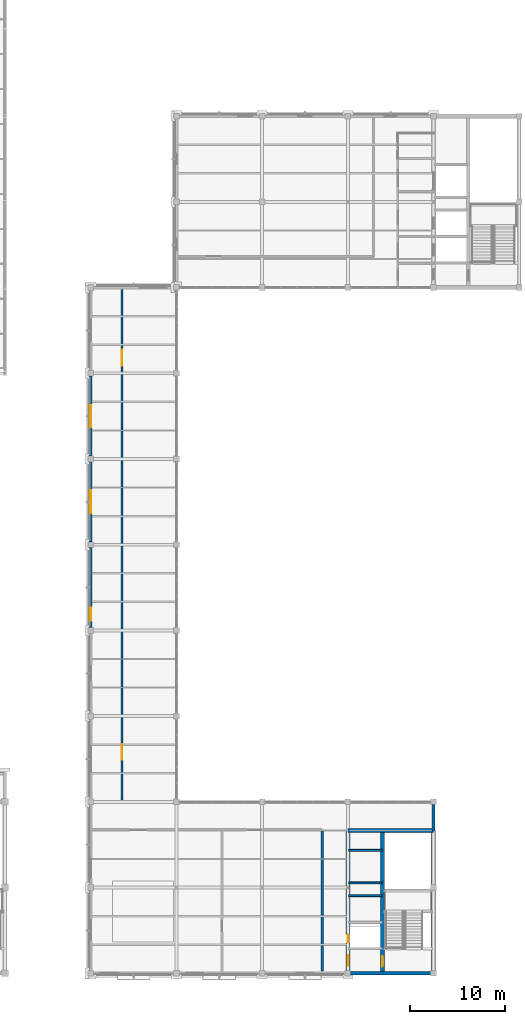
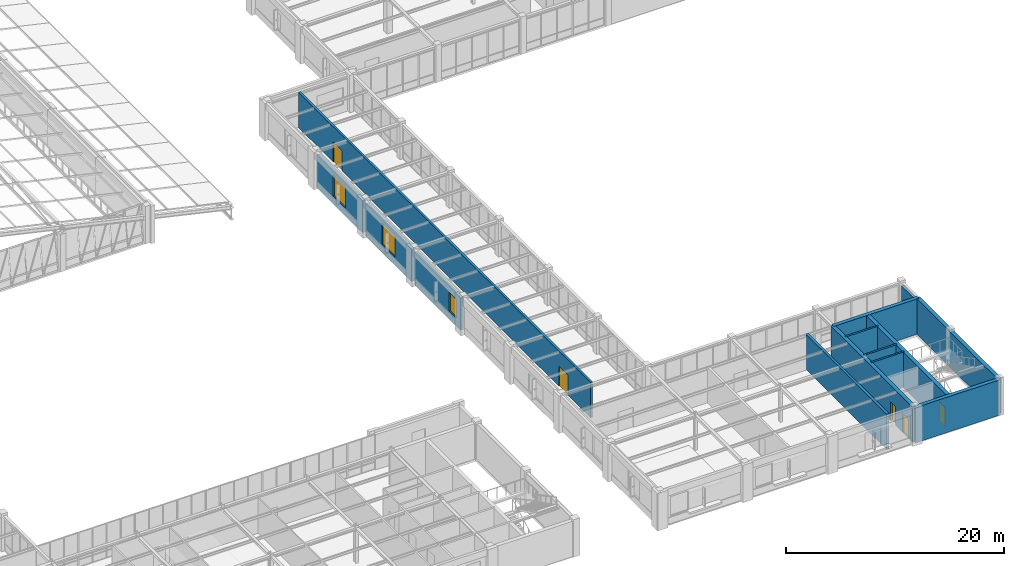
# One storey, part 114 of 130: 14 walls, 5 doors, 3 windows, 8 openings.
"""IFC4 building model written with IfcOpenShell, lengths in metres."""

from ifc_helpers import new_model, si_unit, direction, frame, frame_2d, origin, place, context, subcontext, project, spatial, rectangle, extrude, material, layer, layer_set, type_object, element, fill, save


model = new_model("IFC4")

# Units and contexts
model_context = context("Model", 3, precision=1e-05, world=origin(), true_north=direction((0.0, 1.0)))
body_context = subcontext(model_context, "Body", "Model", "MODEL_VIEW")
ifc_project = project(units=[si_unit("LENGTHUNIT", "METRE"), si_unit("AREAUNIT", "SQUARE_METRE"), si_unit("VOLUMEUNIT", "CUBIC_METRE"), si_unit("PLANEANGLEUNIT", "RADIAN"), si_unit("MASSUNIT", "GRAM", prefix="KILO")], contexts=[model_context])

# Site, building, storey
site_placement = place(None, origin())
site = spatial("IfcSite", under=ifc_project, at=site_placement, CompositionType="ELEMENT")
building_placement = place(site_placement, origin())
building = spatial("IfcBuilding", under=site, at=building_placement, Name="Lykobir Media Centre", CompositionType="ELEMENT")
storey_placement = place(building_placement, frame((0.0, 0.0, 19.199951171875)))
storey = spatial("IfcBuildingStorey", under=building, at=storey_placement, Name="L04", CompositionType="ELEMENT", Elevation=19.199951171875)

# Wall, opening, window
ifc_material_1 = material(Name="Glazed Turquoise Terracotta", Category="masonry")
ifc_layer_1 = layer(ifc_material_1, 0.31005859375, Name="Glazed Turquoise Terracotta")
ifc_layer_set_1 = layer_set([ifc_layer_1], Name="Glazed Turquoise Terracotta")
wall_type_1 = type_object("IfcWallType", Name="EW-TER-310", PredefinedType="STANDARD", material=ifc_layer_set_1)
wall_1_placement = place(storey_placement, frame((90.0, 44.715087890625, 0.0), z_axis=(0.0, 0.0, 1.0), x_axis=(0.0, -1.0, 0.0)))
wall_1 = element("IfcWall", 1, at=wall_1_placement, inside=storey, type_object=wall_type_1, Name="Exterior wall WALL-L04-0297", PredefinedType="STANDARD", context=body_context, shape_type="SweptSolid", body=[
    extrude(rectangle(XDim=8.43017578125, YDim=0.31005859375, at=frame_2d((4.215087890625, 0.0))), origin(), (0.0, 0.0, 1.0), 3.635009765625),
])
opening_1_placement = place(wall_1_placement, frame((6.330078125, 0.0, 0.89990234375)))
opening_1 = element("IfcOpeningElement", 2, at=opening_1_placement, cuts=wall_1, Name="Opening WN-1350x2100", PredefinedType="OPENING", context=body_context, shape_type="SweptSolid", body=[
    extrude(rectangle(XDim=1.35009765625, YDim=2.10009765625, at=frame_2d((0.675048828125, 1.050048828125))), frame((0.0, 0.1650390625, 0.0), z_axis=(0.0, -1.0, 0.0), x_axis=(1.0, 0.0, 0.0)), (0.0, 0.0, 1.0), 0.330078125),
])
ifc_material_2 = material(Name="Low-E Laminated Triple Glazing", Category="glass")
window_type_1 = type_object("IfcWindowType", Name="WN-1350x2100", PartitioningType="SINGLE_PANEL", PredefinedType="WINDOW", material=ifc_material_2)
window_1_placement = place(opening_1_placement, origin())
window_1 = element("IfcWindow", 3, at=window_1_placement, inside=storey, type_object=window_type_1, Name="Window WIN-L04-0111", OverallHeight=2.10009765625, OverallWidth=1.35009765625, PartitioningType="SINGLE_PANEL", PredefinedType="WINDOW", context=body_context, shape_type="SweptSolid", body=[
    extrude(rectangle(XDim=1.35009765625, YDim=2.10009765625, at=frame_2d((0.675048828125, 1.050048828125))), frame((0.0, 0.030029296875, 0.0), z_axis=(0.0, -1.0, 0.0), x_axis=(1.0, 0.0, 0.0)), (0.0, 0.0, 1.0), 0.06005859375),
])
fill(opening_1, window_1)

wall_2_placement = place(storey_placement, frame((90.0, 53.715087890625, 0.0), z_axis=(0.0, 0.0, 1.0), x_axis=(0.0, -1.0, 0.0)))
wall_2 = element("IfcWall", 4, at=wall_2_placement, inside=storey, type_object=wall_type_1, Name="Exterior wall WALL-L04-0298", PredefinedType="STANDARD", context=body_context, shape_type="SweptSolid", body=[
    extrude(rectangle(XDim=8.43017578125, YDim=0.31005859375, at=frame_2d((4.215087890625, 0.0))), origin(), (0.0, 0.0, 1.0), 3.635009765625),
])
opening_2_placement = place(wall_2_placement, frame((3.014892578125, 0.0, 0.89990234375)))
opening_2 = element("IfcOpeningElement", 5, at=opening_2_placement, cuts=wall_2, Name="Opening WN-2400x2400", PredefinedType="OPENING", context=body_context, shape_type="SweptSolid", body=[
    extrude(rectangle(XDim=2.39990234375, YDim=2.39990234375, at=frame_2d((1.199951171875, 1.199951171875))), frame((0.0, 0.1650390625, 0.0), z_axis=(0.0, -1.0, 0.0), x_axis=(1.0, 0.0, 0.0)), (0.0, 0.0, 1.0), 0.330078125),
])
window_type_2 = type_object("IfcWindowType", Name="WN-2400x2400", PartitioningType="SINGLE_PANEL", PredefinedType="WINDOW", material=ifc_material_2)
window_2_placement = place(opening_2_placement, origin())
window_2 = element("IfcWindow", 6, at=window_2_placement, inside=storey, type_object=window_type_2, Name="Window WIN-L04-0112", OverallHeight=2.39990234375, OverallWidth=2.39990234375, PartitioningType="SINGLE_PANEL", PredefinedType="WINDOW", context=body_context, shape_type="SweptSolid", body=[
    extrude(rectangle(XDim=2.39990234375, YDim=2.39990234375, at=frame_2d((1.199951171875, 1.199951171875))), frame((0.0, 0.030029296875, 0.0), z_axis=(0.0, -1.0, 0.0), x_axis=(1.0, 0.0, 0.0)), (0.0, 0.0, 1.0), 0.06005859375),
])
fill(opening_2, window_2)

wall_3_placement = place(storey_placement, frame((90.0, 62.715087890625, 0.0), z_axis=(0.0, 0.0, 1.0), x_axis=(0.0, -1.0, 0.0)))
wall_3 = element("IfcWall", 7, at=wall_3_placement, inside=storey, type_object=wall_type_1, Name="Exterior wall WALL-L04-0299", PredefinedType="STANDARD", context=body_context, shape_type="SweptSolid", body=[
    extrude(rectangle(XDim=8.43017578125, YDim=0.31005859375, at=frame_2d((4.215087890625, 0.0))), origin(), (0.0, 0.0, 1.0), 3.635009765625),
])
opening_3_placement = place(wall_3_placement, frame((3.06494140625, 0.0, 0.89990234375)))
opening_3 = element("IfcOpeningElement", 8, at=opening_3_placement, cuts=wall_3, Name="Opening WN-2300x2350", PredefinedType="OPENING", context=body_context, shape_type="SweptSolid", body=[
    extrude(rectangle(XDim=2.300048828125, YDim=2.35009765625, at=frame_2d((1.14990234375, 1.175048828125))), frame((0.0, 0.1650390625, 0.0), z_axis=(0.0, -1.0, 0.0), x_axis=(1.0, 0.0, 0.0)), (0.0, 0.0, 1.0), 0.330078125),
])
window_type_3 = type_object("IfcWindowType", Name="WN-2300x2350", PartitioningType="SINGLE_PANEL", PredefinedType="WINDOW", material=ifc_material_2)
window_3_placement = place(opening_3_placement, origin())
window_3 = element("IfcWindow", 9, at=window_3_placement, inside=storey, type_object=window_type_3, Name="Window WIN-L04-0113", OverallHeight=2.35009765625, OverallWidth=2.300048828125, PartitioningType="SINGLE_PANEL", PredefinedType="WINDOW", context=body_context, shape_type="SweptSolid", body=[
    extrude(rectangle(XDim=2.300048828125, YDim=2.35009765625, at=frame_2d((1.14990234375, 1.175048828125))), frame((0.0, 0.030029296875, 0.0), z_axis=(0.0, -1.0, 0.0), x_axis=(1.0, 0.0, 0.0)), (0.0, 0.0, 1.0), 0.06005859375),
])
fill(opening_3, window_3)

# Walls
wall_4_placement = place(storey_placement, frame((126.0, 14.925048828125, 0.0), z_axis=(0.0, 0.0, 1.0), x_axis=(0.0, 1.0, 0.0)))
element("IfcWall", 10, at=wall_4_placement, inside=storey, type_object=wall_type_1, Name="Exterior wall WALL-L04-0306", PredefinedType="STANDARD", context=body_context, shape_type="SweptSolid", body=[
    extrude(rectangle(XDim=2.7900390625, YDim=0.31005859375, at=frame_2d((1.39501953125, 0.0))), origin(), (0.0, 0.0, 1.0), 3.655029296875),
])
ifc_material_3 = material(Name="Concrete C30/37", Category="concrete")
ifc_layer_2 = layer(ifc_material_3, 0.199951171875, Name="Concrete C30/37")
ifc_layer_set_2 = layer_set([ifc_layer_2], Name="Concrete C30/37")
wall_type_2 = type_object("IfcWallType", Name="IW-SHAFT-200", PredefinedType="PARTITIONING", material=ifc_layer_set_2)
for number, where, z_axis, x_axis, name in (
    (11, (117.10009765625, 8.14990234375, 0.0), (0.0, 0.0, 1.0), (1.0, 0.0, 0.0), "Wall IWALL-L04-0631"),
    (12, (117.10009765625, 9.5, 0.0), (0.0, 0.0, 1.0), (1.0, 0.0, 0.0), "Wall IWALL-L04-0632"),
    (13, (117.10009765625, 12.89990234375, 0.0), (0.0, 0.0, 1.0), (1.0, 0.0, 0.0), "Wall IWALL-L04-0633"),
):
    element("IfcWall", number, at=place(storey_placement, frame(where, z_axis=z_axis, x_axis=x_axis)), inside=storey, type_object=wall_type_2, Name=name, PredefinedType="PARTITIONING", context=body_context, shape_type="SweptSolid", body=[
        extrude(rectangle(XDim=3.5, YDim=0.199951171875, at=frame_2d((1.75, 0.0))), origin(), (0.0, 0.0, 1.0), 3.9599609375),
    ])

# Wall, openings, doors
ifc_material_4 = material(Name="Acoustic Gypsum Board", Category="gypsum")
ifc_layer_3 = layer(ifc_material_4, 0.219970703125, Name="Acoustic Gypsum Board")
ifc_layer_set_3 = layer_set([ifc_layer_3], Name="Acoustic Gypsum Board")
wall_type_3 = type_object("IfcWallType", Name="IW-STU-220", PredefinedType="PARTITIONING", material=ifc_layer_set_3)
wall_5_placement = place(storey_placement, frame((93.300048828125, 18.199951171875, 0.0), z_axis=(0.0, 0.0, 1.0), x_axis=(0.0, 1.0, 0.0)))
wall_5 = element("IfcWall", 14, at=wall_5_placement, inside=storey, type_object=wall_type_3, Name="Wall IWALL-L04-0750", PredefinedType="PARTITIONING", context=body_context, shape_type="SweptSolid", body=[
    extrude(rectangle(XDim=53.60009765625, YDim=0.219970703125, at=frame_2d((26.800048828125, 0.0))), origin(), (0.0, 0.0, 1.0), 3.9599609375),
])
opening_4_placement = place(wall_5_placement, frame((4.199951171875, 0.0, 0.0)))
opening_4 = element("IfcOpeningElement", 15, at=opening_4_placement, cuts=wall_5, Name="Opening D-L04-EP1", PredefinedType="OPENING", context=body_context, shape_type="SweptSolid", body=[
    extrude(rectangle(XDim=1.64990234375, YDim=2.25, at=frame_2d((0.824951171875, 1.125))), frame((0.0, 0.119873046875, 0.0), z_axis=(0.0, -1.0, 0.0), x_axis=(1.0, 0.0, 0.0)), (0.0, 0.0, 1.0), 0.239990234375),
])
opening_5_placement = place(wall_5_placement, frame((45.60009765625, 0.0, 0.0)))
opening_5 = element("IfcOpeningElement", 16, at=opening_5_placement, cuts=wall_5, Name="Opening D-L04-EP2", PredefinedType="OPENING", context=body_context, shape_type="SweptSolid", body=[
    extrude(rectangle(XDim=1.64990234375, YDim=2.25, at=frame_2d((0.824951171875, 1.125))), frame((0.0, 0.119873046875, 0.0), z_axis=(0.0, -1.0, 0.0), x_axis=(1.0, 0.0, 0.0)), (0.0, 0.0, 1.0), 0.239990234375),
])
ifc_material_5 = material(Name="Acoustic Timber Panelling", Category="wood")
door_type_1 = type_object("IfcDoorType", Name="FD-1650x2250", OperationType="NOTDEFINED", PredefinedType="DOOR", material=ifc_material_5)
door_1_placement = place(opening_4_placement, origin())
door_1 = element("IfcDoor", 17, at=door_1_placement, inside=storey, type_object=door_type_1, Name="Door D-L04-EP1", OperationType="DOUBLE_DOOR_SINGLE_SWING", OverallHeight=2.25, OverallWidth=1.64990234375, PredefinedType="DOOR", context=body_context, shape_type="SweptSolid", body=[
    extrude(rectangle(XDim=1.64990234375, YDim=2.25, at=frame_2d((0.824951171875, 1.125))), frame((0.0, 0.02490234375, 0.0), z_axis=(0.0, -1.0, 0.0), x_axis=(1.0, 0.0, 0.0)), (0.0, 0.0, 1.0), 0.050048828125),
])
fill(opening_4, door_1)
door_2_placement = place(opening_5_placement, origin())
door_2 = element("IfcDoor", 18, at=door_2_placement, inside=storey, type_object=door_type_1, Name="Door D-L04-EP2", OperationType="DOUBLE_DOOR_SINGLE_SWING", OverallHeight=2.25, OverallWidth=1.64990234375, PredefinedType="DOOR", context=body_context, shape_type="SweptSolid", body=[
    extrude(rectangle(XDim=1.64990234375, YDim=2.25, at=frame_2d((0.824951171875, 1.125))), frame((0.0, 0.02490234375, 0.0), z_axis=(0.0, -1.0, 0.0), x_axis=(1.0, 0.0, 0.0)), (0.0, 0.0, 1.0), 0.050048828125),
])
fill(opening_5, door_2)

# Wall
ifc_layer_4 = layer(ifc_material_4, 0.260009765625, Name="Acoustic Gypsum Board")
ifc_layer_set_4 = layer_set([ifc_layer_4], Name="Acoustic Gypsum Board")
wall_type_4 = type_object("IfcWallType", Name="IW-STU-260", PredefinedType="PARTITIONING", material=ifc_layer_set_4)
wall_6_placement = place(storey_placement, frame((114.300048828125, 0.219970703125, 0.0), z_axis=(0.0, 0.0, 1.0), x_axis=(0.0, 1.0, 0.0)))
element("IfcWall", 19, at=wall_6_placement, inside=storey, type_object=wall_type_4, Name="Wall IWALL-L04-0749", PredefinedType="PARTITIONING", context=body_context, shape_type="SweptSolid", body=[
    extrude(rectangle(XDim=14.830078125, YDim=0.260009765625, at=frame_2d((7.4150390625, 0.0))), origin(), (0.0, 0.0, 1.0), 3.9599609375),
])

# Wall, openings, doors
ifc_material_6 = material(Name="Concrete C40/50", Category="concrete")
ifc_layer_5 = layer(ifc_material_6, 0.39990234375, Name="Concrete C40/50")
ifc_layer_set_5 = layer_set([ifc_layer_5], Name="Concrete C40/50")
wall_type_5 = type_object("IfcWallType", Name="SW-CORE-400", PredefinedType="SHEAR", material=ifc_layer_set_5)
wall_7_placement = place(storey_placement, frame((117.0, 15.0, 0.0), z_axis=(0.0, 0.0, 1.0), x_axis=(0.0, -1.0, 0.0)))
wall_7 = element("IfcWall", 20, at=wall_7_placement, inside=storey, type_object=wall_type_5, Name="Wall IWALL-L04-0627", PredefinedType="SHEAR", context=body_context, shape_type="SweptSolid", body=[
    extrude(rectangle(XDim=15.0, YDim=0.39990234375, at=frame_2d((7.5, 0.0))), origin(), (0.0, 0.0, 1.0), 3.9599609375),
])
opening_6_placement = place(wall_7_placement, frame((13.10009765625, 0.0, 0.0)))
opening_6 = element("IfcOpeningElement", 21, at=opening_6_placement, cuts=wall_7, Name="Opening D-L04-C5VB", PredefinedType="OPENING", context=body_context, shape_type="SweptSolid", body=[
    extrude(rectangle(XDim=1.10009765625, YDim=2.159912109375, at=frame_2d((0.550048828125, 1.080078125))), frame((0.0, 0.2099609375, 0.0), z_axis=(0.0, -1.0, 0.0), x_axis=(1.0, 0.0, 0.0)), (0.0, 0.0, 1.0), 0.419921875),
])
opening_7_placement = place(wall_7_placement, frame((10.949951171875, 0.0, 0.0)))
opening_7 = element("IfcOpeningElement", 22, at=opening_7_placement, cuts=wall_7, Name="Opening D-L04-C5RS", PredefinedType="OPENING", context=body_context, shape_type="SweptSolid", body=[
    extrude(rectangle(XDim=0.85009765625, YDim=2.10009765625, at=frame_2d((0.425048828125, 1.050048828125))), frame((0.0, 0.2099609375, 0.0), z_axis=(0.0, -1.0, 0.0), x_axis=(1.0, 0.0, 0.0)), (0.0, 0.0, 1.0), 0.419921875),
])
ifc_material_7 = material(Name="Anodized Aluminium AW-6060", Category="aluminium")
door_type_2 = type_object("IfcDoorType", Name="FD-0850x2100", OperationType="NOTDEFINED", PredefinedType="DOOR", material=ifc_material_7)
door_3_placement = place(opening_7_placement, origin())
door_3 = element("IfcDoor", 23, at=door_3_placement, inside=storey, type_object=door_type_2, Name="Riser access door C5 L04", OperationType="SINGLE_SWING_RIGHT", OverallHeight=2.10009765625, OverallWidth=0.85009765625, PredefinedType="DOOR", context=body_context, shape_type="SweptSolid", body=[
    extrude(rectangle(XDim=0.85009765625, YDim=2.10009765625, at=frame_2d((0.425048828125, 1.050048828125))), frame((0.0, 0.02490234375, 0.0), z_axis=(0.0, -1.0, 0.0), x_axis=(1.0, 0.0, 0.0)), (0.0, 0.0, 1.0), 0.050048828125),
])
fill(opening_7, door_3)
door_type_3 = type_object("IfcDoorType", Name="FD-1100x2160", OperationType="NOTDEFINED", PredefinedType="DOOR", material=ifc_material_5)
door_4_placement = place(opening_6_placement, origin())
door_4 = element("IfcDoor", 24, at=door_4_placement, inside=storey, type_object=door_type_3, Name="Door D-L04-C5VB", OperationType="SINGLE_SWING_LEFT", OverallHeight=2.159912109375, OverallWidth=1.10009765625, PredefinedType="DOOR", context=body_context, shape_type="SweptSolid", body=[
    extrude(rectangle(XDim=1.10009765625, YDim=2.159912109375, at=frame_2d((0.550048828125, 1.080078125))), frame((0.0, 0.02490234375, 0.0), z_axis=(0.0, -1.0, 0.0), x_axis=(1.0, 0.0, 0.0)), (0.0, 0.0, 1.0), 0.050048828125),
])
fill(opening_6, door_4)

# Wall, opening, door
wall_8_placement = place(storey_placement, frame((120.64990234375, 0.0, 0.0), z_axis=(0.0, 0.0, 1.0), x_axis=(0.0, 1.0, 0.0)))
wall_8 = element("IfcWall", 25, at=wall_8_placement, inside=storey, type_object=wall_type_5, Name="Wall IWALL-L04-0628", PredefinedType="SHEAR", context=body_context, shape_type="SweptSolid", body=[
    extrude(rectangle(XDim=15.0, YDim=0.39990234375, at=frame_2d((7.5, 0.0))), origin(), (0.0, 0.0, 1.0), 3.9599609375),
])
opening_8_placement = place(wall_8_placement, frame((0.699951171875, 0.0, 0.0)))
opening_8 = element("IfcOpeningElement", 26, at=opening_8_placement, cuts=wall_8, Name="Opening D-L04-C5ST", PredefinedType="OPENING", context=body_context, shape_type="SweptSolid", body=[
    extrude(rectangle(XDim=1.10009765625, YDim=2.159912109375, at=frame_2d((0.550048828125, 1.080078125))), frame((0.0, 0.2099609375, 0.0), z_axis=(0.0, -1.0, 0.0), x_axis=(1.0, 0.0, 0.0)), (0.0, 0.0, 1.0), 0.419921875),
])
door_5_placement = place(opening_8_placement, origin())
door_5 = element("IfcDoor", 27, at=door_5_placement, inside=storey, type_object=door_type_3, Name="L04 ST-5 stairwell fire door", OperationType="SINGLE_SWING_RIGHT", OverallHeight=2.159912109375, OverallWidth=1.10009765625, PredefinedType="DOOR", context=body_context, shape_type="SweptSolid", body=[
    extrude(rectangle(XDim=1.10009765625, YDim=2.159912109375, at=frame_2d((0.550048828125, 1.080078125))), frame((0.0, 0.02490234375, 0.0), z_axis=(0.0, -1.0, 0.0), x_axis=(1.0, 0.0, 0.0)), (0.0, 0.0, 1.0), 0.050048828125),
])
fill(opening_8, door_5)

# Walls
ifc_layer_6 = layer(ifc_material_6, 0.39990234375, Name="Concrete C40/50")
ifc_layer_set_6 = layer_set([ifc_layer_6], Name="Concrete C40/50")
wall_type_6 = type_object("IfcWallType", Name="SW-CORE-400-E", PredefinedType="SHEAR", material=ifc_layer_set_6)
wall_9_placement = place(storey_placement, frame((117.0, 0.0, 0.0), z_axis=(0.0, 0.0, 1.0), x_axis=(1.0, 0.0, 0.0)))
element("IfcWall", 28, at=wall_9_placement, inside=storey, type_object=wall_type_6, Name="Wall IWALL-L04-0624", PredefinedType="SHEAR", context=body_context, shape_type="SweptSolid", body=[
    extrude(rectangle(XDim=9.0, YDim=0.39990234375, at=frame_2d((4.5, 0.0))), origin(), (0.0, 0.0, 1.0), 3.9599609375),
])
wall_10_placement = place(storey_placement, frame((126.0, 0.0, 0.0), z_axis=(0.0, 0.0, 1.0), x_axis=(0.0, 1.0, 0.0)))
element("IfcWall", 29, at=wall_10_placement, inside=storey, type_object=wall_type_6, Name="Wall IWALL-L04-0625", PredefinedType="SHEAR", context=body_context, shape_type="SweptSolid", body=[
    extrude(rectangle(XDim=15.0, YDim=0.39990234375, at=frame_2d((7.5, 0.0))), origin(), (0.0, 0.0, 1.0), 3.9599609375),
])
wall_11_placement = place(storey_placement, frame((126.0, 15.0, 0.0), z_axis=(0.0, 0.0, 1.0), x_axis=(-1.0, 0.0, 0.0)))
element("IfcWall", 30, at=wall_11_placement, inside=storey, type_object=wall_type_6, Name="Wall IWALL-L04-0626", PredefinedType="SHEAR", context=body_context, shape_type="SweptSolid", body=[
    extrude(rectangle(XDim=9.0, YDim=0.39990234375, at=frame_2d((4.5, 0.0))), origin(), (0.0, 0.0, 1.0), 3.9599609375),
])

save(model, "model.ifc")
